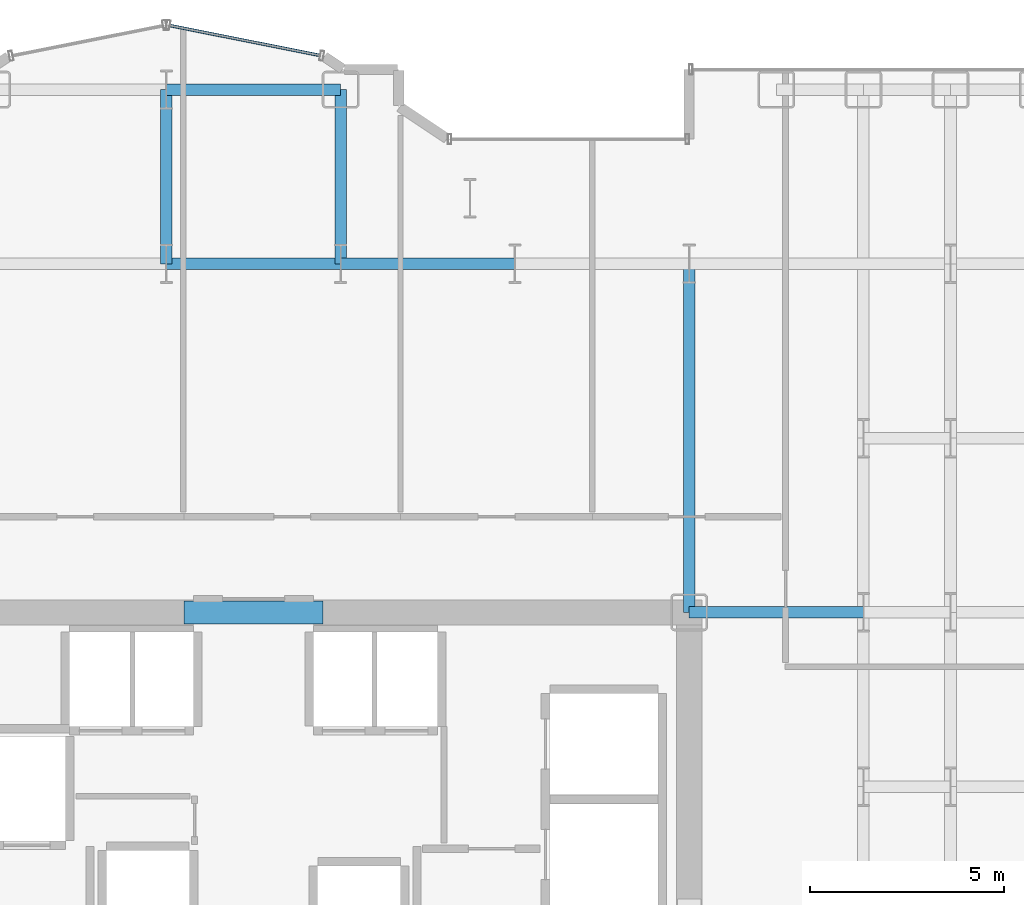
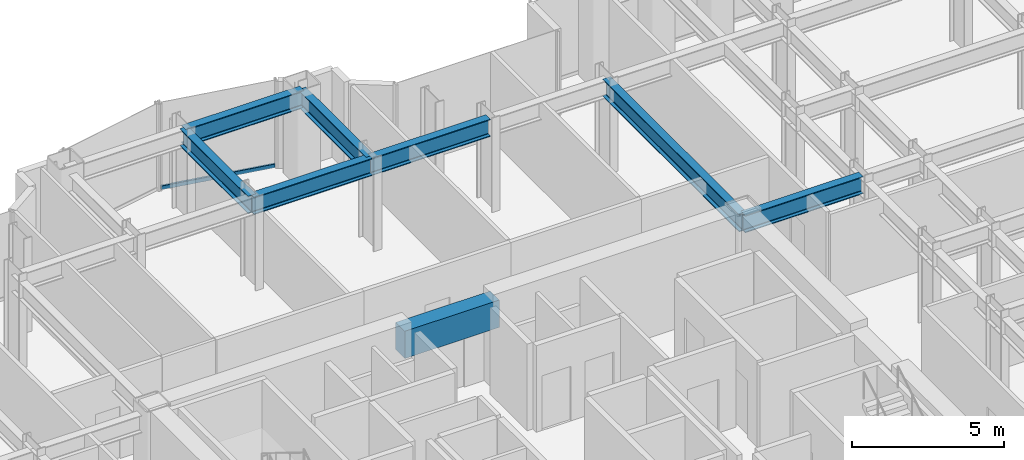
# One storey, part 11 of 26: 8 beams, 1 member, 1 element without a shape of its own.
"""IFC4 building model written with IfcOpenShell, lengths in metres."""

from ifc_helpers import new_model, si_unit, direction, frame, origin, origin_2d, place, context, subcontext, project, spatial, rectangle, hollow_rectangle, i_section, extrude, source, transform, mapped, material, layer, layer_set, material_profile, profile_set, type_object, element, aggregate, save


model = new_model("IFC4")

# Units and contexts
model_context = context("Model", 3, precision=1e-05, world=origin(), true_north=direction((0.0, 1.0)))
body_context = subcontext(model_context, "Body", "Model", "MODEL_VIEW")
ifc_project = project(units=[si_unit("LENGTHUNIT", "METRE"), si_unit("AREAUNIT", "SQUARE_METRE"), si_unit("VOLUMEUNIT", "CUBIC_METRE"), si_unit("PLANEANGLEUNIT", "RADIAN"), si_unit("MASSUNIT", "GRAM", prefix="KILO")], contexts=[model_context])

# Site, building, storey
site_placement = place(None, origin())
site = spatial("IfcSite", under=ifc_project, at=site_placement, CompositionType="ELEMENT")
building_placement = place(site_placement, origin())
building = spatial("IfcBuilding", under=site, at=building_placement, Name="Nefas-Gora Pilgrimage Tower", CompositionType="ELEMENT")
storey_placement = place(building_placement, frame((0.0, 0.0, 82.39990234375)))
storey = spatial("IfcBuildingStorey", under=building, at=storey_placement, Name="L19", CompositionType="ELEMENT", Elevation=82.39990234375)

# Beams
ifc_material_1 = material(Name="Concrete C60/75", Category="concrete")
ifc_material_profile_1 = material_profile(ifc_material_1, rectangle(XDim=0.60009765625, YDim=1.10009765625, at=origin_2d()), Name="RC 600x1100")
ifc_profile_set_1 = profile_set([ifc_material_profile_1], Name="Concrete C60/75")
beam_type_1 = type_object("IfcBeamType", Name="BM-LIN-RC1100", PredefinedType="LINTEL", material=ifc_profile_set_1)
shared_shape_1 = source(origin(), body_context, "Body", "SweptSolid", [
    extrude(rectangle(XDim=0.60009765625, YDim=1.10009765625, at=origin_2d()), origin(), (0.0, 0.0, 1.0), 3.60009765625),
])
beam_1_placement = place(storey_placement, frame((-1.800048828125, 9.0, 2.9501953125), z_axis=(1.0, 0.0, 0.0), x_axis=(0.0, 1.0, 0.0)))
element("IfcBeam", 1, at=beam_1_placement, inside=storey, type_object=beam_type_1, Name="L19 Core Coupling Lintel Beam N", PredefinedType="LINTEL", context=body_context, shape_type="MappedRepresentation", body=[
    mapped(shared_shape_1, transform((0.0, 0.0, 0.0), x_axis=(1.0, 0.0, 0.0), y_axis=(0.0, 1.0, 0.0), z_axis=(0.0, 0.0, 1.0), scale=1.0)),
])
ifc_material_2 = material(Name="Steel S355", Category="steel")
ifc_material_profile_2 = material_profile(ifc_material_2, i_section(OverallWidth=0.300048828125, OverallDepth=0.699951171875, WebThickness=0.01708984375, FlangeThickness=0.031982421875, FilletRadius=0.027099609375, at=origin_2d()), Name="HEB 700")
ifc_profile_set_2 = profile_set([ifc_material_profile_2], Name="Steel S355")
beam_type_2 = type_object("IfcBeamType", Name="BM-GIR-HEB700", PredefinedType="BEAM", material=ifc_profile_set_2)
shared_shape_2 = source(origin(), body_context, "Body", "SweptSolid", [
    extrude(i_section(OverallWidth=0.300048828125, OverallDepth=0.699951171875, WebThickness=0.01708984375, FlangeThickness=0.031982421875, FilletRadius=0.027099609375, at=origin_2d()), origin(), (0.0, 0.0, 1.0), 9.0),
])
beam_2_placement = place(storey_placement, frame((11.25, 9.0, 3.150146484375), z_axis=(0.0, 1.0, 0.0), x_axis=(-1.0, 0.0, 0.0)))
element("IfcBeam", 2, at=beam_2_placement, inside=storey, type_object=beam_type_2, Name="L19 G-02 beam", PredefinedType="BEAM", context=body_context, shape_type="MappedRepresentation", body=[
    mapped(shared_shape_2, transform((0.0, 0.0, 0.0), x_axis=(1.0, 0.0, 0.0), y_axis=(0.0, 1.0, 0.0), z_axis=(0.0, 0.0, 1.0), scale=1.0)),
])
shared_shape_3 = source(origin(), body_context, "Body", "SweptSolid", [
    extrude(i_section(OverallWidth=0.300048828125, OverallDepth=0.699951171875, WebThickness=0.01708984375, FlangeThickness=0.031982421875, FilletRadius=0.027099609375, at=origin_2d()), origin(), (0.0, 0.0, 1.0), 4.5),
])
for number, where, z_axis, x_axis, name in (
    (3, (-2.25, 18.0, 3.150146484375), (0.0, 1.0, 0.0), (-1.0, 0.0, 0.0), "L19 G-02 beam"),
    (4, (-2.25, 18.0, 3.150146484375), (1.0, 0.0, 0.0), (0.0, 1.0, 0.0), "L19 G-02 beam"),
    (5, (-2.25, 22.5, 3.150146484375), (1.0, 0.0, 0.0), (0.0, 1.0, 0.0), "L19 G-02 beam"),
    (6, (2.25, 18.0, 3.150146484375), (0.0, 1.0, 0.0), (-1.0, 0.0, 0.0), "L19 G-02 beam"),
    (7, (2.25, 18.0, 3.150146484375), (1.0, 0.0, 0.0), (0.0, 1.0, 0.0), "L19 G-02 beam"),
    (8, (11.25, 9.0, 3.150146484375), (1.0, 0.0, 0.0), (0.0, 1.0, 0.0), "L19 G-02 beam"),
):
    element("IfcBeam", number, at=place(storey_placement, frame(where, z_axis=z_axis, x_axis=x_axis)), inside=storey, type_object=beam_type_2, Name=name, PredefinedType="BEAM", context=body_context, shape_type="MappedRepresentation", body=[
        mapped(shared_shape_3, transform((0.0, 0.0, 0.0), x_axis=(1.0, 0.0, 0.0), y_axis=(0.0, 1.0, 0.0), z_axis=(0.0, 0.0, 1.0), scale=1.0)),
    ])

# Curtain wall, member
ifc_material_3 = material(Name="Dark ceramic-fritted solar-control aluminium-glass curtain wall", Category="aluminium")
ifc_layer = layer(ifc_material_3, 0.219970703125)
ifc_layer_set = layer_set([ifc_layer], Name="Dark ceramic-fritted solar-control aluminium-glass curtain wall")
curtain_wall_type = type_object("IfcCurtainWallType", Name="CW-SYS-5", PredefinedType="NOTDEFINED", material=ifc_layer_set)
curtain_wall_placement = place(storey_placement, origin())
curtain_wall = element("IfcCurtainWall", 9, at=curtain_wall_placement, inside=storey, type_object=curtain_wall_type, Name="L19 Unitised Curtain Wall CW5", PredefinedType="NOTDEFINED")
ifc_material_4 = material(Name="Anodised architectural aluminium", Category="aluminium")
ifc_material_profile_3 = material_profile(ifc_material_4, hollow_rectangle(XDim=0.080078125, YDim=0.159912109375, WallThickness=0.00439453125, InnerFilletRadius=0.00439453125, OuterFilletRadius=0.009033203125, at=origin_2d()), Name="ALU TRANSOM 80x160")
ifc_profile_set_3 = profile_set([ifc_material_profile_3], Name="Anodised architectural aluminium")
member_type = type_object("IfcMemberType", Name="CWM-TRN-5", PredefinedType="USERDEFINED", material=ifc_profile_set_3)
shared_shape_4 = source(origin(), body_context, "Body", "SweptSolid", [
    extrude(hollow_rectangle(XDim=0.080078125, YDim=0.159912109375, WallThickness=0.00439453125, InnerFilletRadius=0.00439453125, OuterFilletRadius=0.009033203125, at=origin_2d()), origin(), (0.0, 0.0, 1.0), 3.95654296875),
])
member_placement = place(storey_placement, frame((1.718994140625, 23.3828125, 0.050048828125), z_axis=(-0.980781880918, 0.195107411605, 0.0), x_axis=(-0.195107411605, -0.980781880918, 0.0)))
member = element("IfcMember", 10, at=member_placement, type_object=member_type, Name="CW5 Spandrel Transom", ObjectType="TRANSOM", PredefinedType="USERDEFINED", context=body_context, shape_type="MappedRepresentation", body=[
    mapped(shared_shape_4, transform((0.0, 0.0, 0.0), x_axis=(1.0, 0.0, 0.0), y_axis=(0.0, 1.0, 0.0), z_axis=(0.0, 0.0, 1.0), scale=1.0)),
])
aggregate(curtain_wall, [member])

save(model, "model.ifc")
